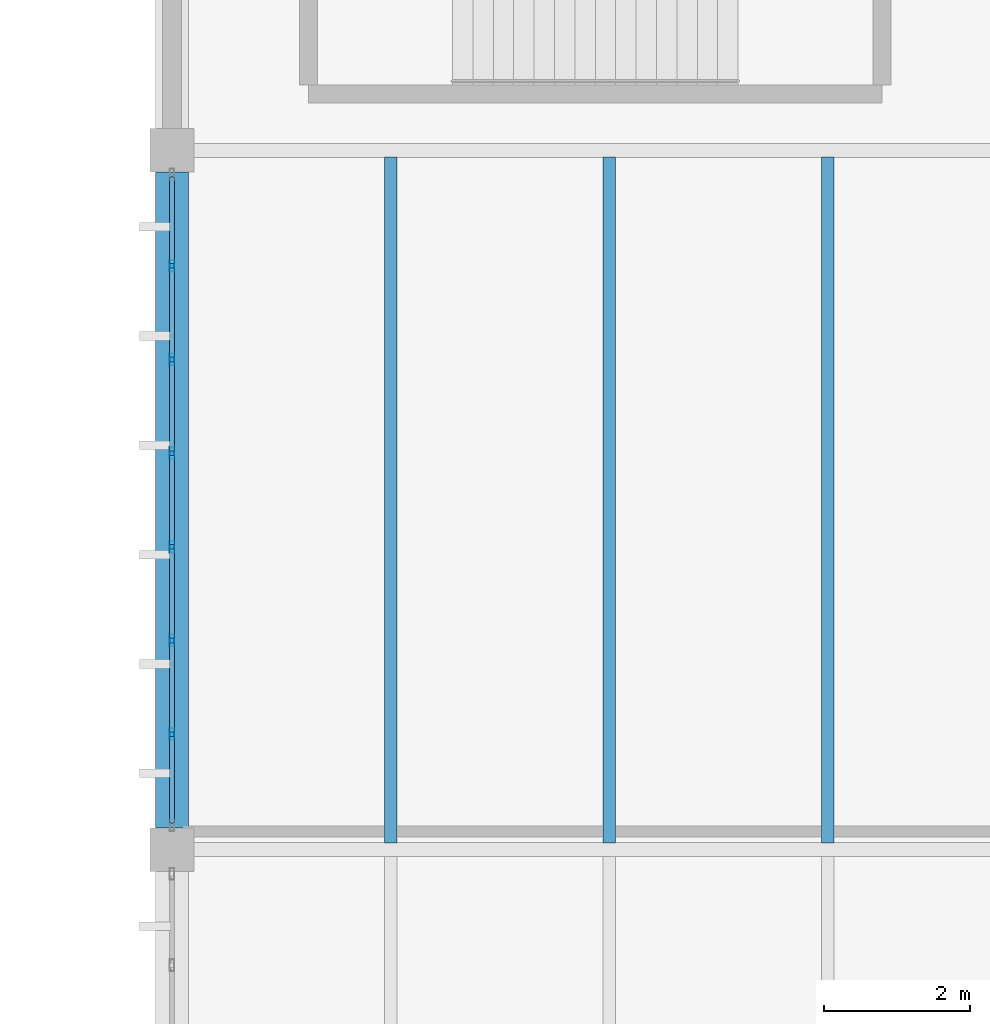
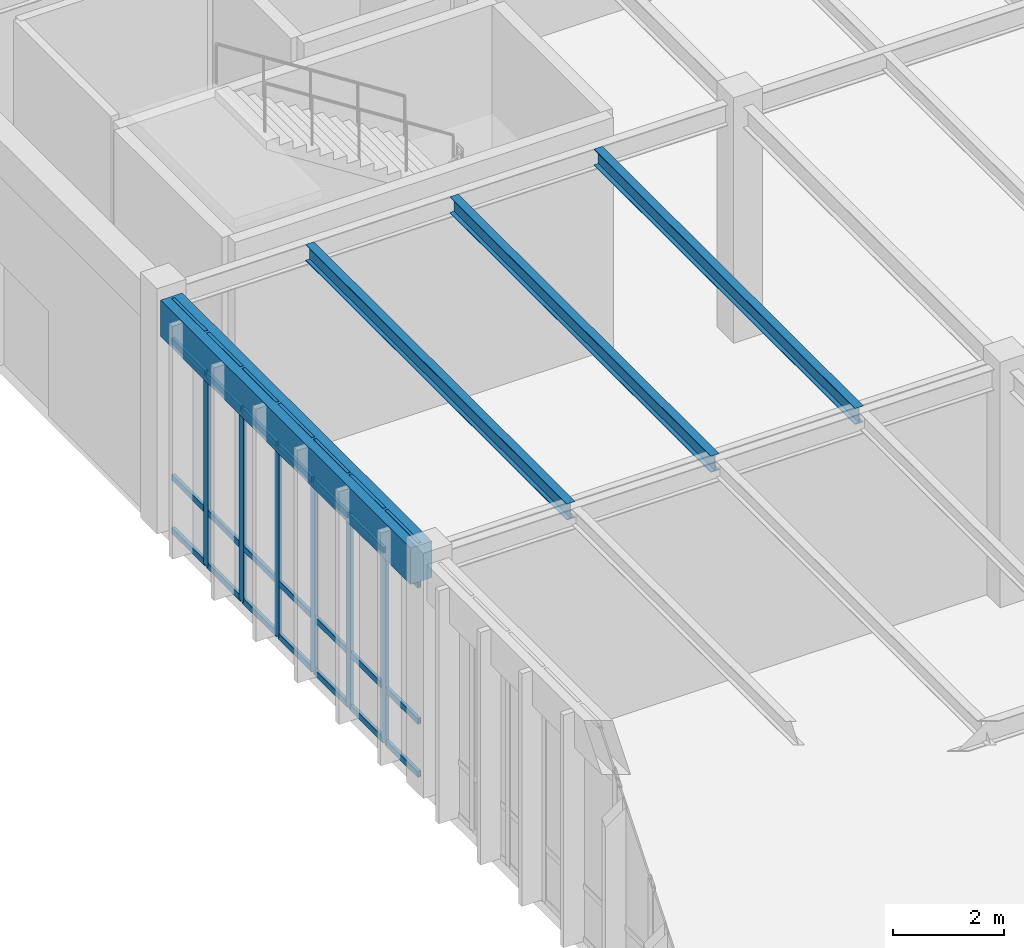
# One storey, part 100 of 188: 34 members, 4 beams, 1 element without a shape of its own.
"""IFC4 building model written with IfcOpenShell, lengths in metres."""

from ifc_helpers import new_model, si_unit, direction, frame, origin, origin_2d, place, context, subcontext, project, spatial, rectangle, hollow_rectangle, i_section, extrude, material, layer, layer_set, material_profile, profile_set, type_object, element, aggregate, save


model = new_model("IFC4")

# Units and contexts
model_context = context("Model", 3, precision=1e-05, world=origin(), true_north=direction((0.0, 1.0)))
body_context = subcontext(model_context, "Body", "Model", "MODEL_VIEW")
ifc_project = project(units=[si_unit("LENGTHUNIT", "METRE"), si_unit("AREAUNIT", "SQUARE_METRE"), si_unit("VOLUMEUNIT", "CUBIC_METRE"), si_unit("PLANEANGLEUNIT", "RADIAN"), si_unit("MASSUNIT", "GRAM", prefix="KILO")], contexts=[model_context])

# Site, building, storey
site_placement = place(None, origin())
site = spatial("IfcSite", under=ifc_project, at=site_placement, CompositionType="ELEMENT")
building_placement = place(site_placement, origin())
building = spatial("IfcBuilding", under=site, at=building_placement, Name="Pandanus Reach Market Hall", CompositionType="ELEMENT")
storey_placement = place(building_placement, origin())
storey = spatial("IfcBuildingStorey", under=building, at=storey_placement, Name="L00", CompositionType="ELEMENT", Elevation=0.0)

# Beam
ifc_material_1 = material(Name="Concrete N40 (40 MPa)", Category="concrete")
ifc_material_profile_1 = material_profile(ifc_material_1, rectangle(XDim=0.449951171875, YDim=0.800048828125, at=origin_2d()), Name="RC450x800", Category="LoadBearing")
ifc_profile_set_1 = profile_set([ifc_material_profile_1], Name="Concrete N40 (40 MPa)")
beam_type_1 = type_object("IfcBeamType", Name="BM-RC450-E", PredefinedType="SPANDREL", material=ifc_profile_set_1)
beam_placement = place(storey_placement, frame((144.0, 38.697998046875, 4.72509765625), z_axis=(0.0, 1.0, 0.0), x_axis=(-1.0, 0.0, 0.0)))
element("IfcBeam", 1, at=beam_placement, inside=storey, type_object=beam_type_1, Name="Framing beam BM-RC450-E L00.192", PredefinedType="SPANDREL", context=body_context, shape_type="SweptSolid", body=[
    extrude(rectangle(XDim=0.449951171875, YDim=0.800048828125, at=origin_2d()), origin(), (0.0, 0.0, 1.0), 9.00390625),
])

# Curtain wall, members
ifc_material_2 = material(Name="Bronze anodised aluminium and low-E glass", Category="aluminium")
ifc_layer = layer(ifc_material_2, 0.159912109375, Name="CW-26")
ifc_layer_set = layer_set([ifc_layer], Name="Bronze anodised aluminium and low-E glass")
curtain_wall_type = type_object("IfcCurtainWallType", Name="CW-26", PredefinedType="NOTDEFINED", material=ifc_layer_set)
curtain_wall_placement = place(storey_placement, origin())
curtain_wall = element("IfcCurtainWall", 2, at=curtain_wall_placement, inside=storey, type_object=curtain_wall_type, Name="Glazed curtain wall CW-26 CW-0078", PredefinedType="NOTDEFINED")
ifc_material_3 = material(Name="Bronze anodised aluminium", Category="aluminium")
ifc_material_profile_2 = material_profile(ifc_material_3, hollow_rectangle(XDim=0.06494140625, YDim=0.159912109375, WallThickness=0.00390625, at=origin_2d()), Name="ALU65x160", Category="LoadBearing")
ifc_profile_set_2 = profile_set([ifc_material_profile_2], Name="Bronze anodised aluminium")
member_type_1 = type_object("IfcMemberType", Name="CW-M1", PredefinedType="MULLION", material=ifc_profile_set_2)
member_1_placement = place(storey_placement, frame((144.0, 39.985595703125, 0.0), z_axis=(0.0, 0.0, 1.0), x_axis=(-1.0, 0.0, 0.0)))
member_1 = element("IfcMember", 3, at=member_1_placement, type_object=member_type_1, Name="CW-26 mullion 2", PredefinedType="MULLION", context=body_context, shape_type="SweptSolid", body=[
    extrude(hollow_rectangle(XDim=0.06494140625, YDim=0.159912109375, WallThickness=0.00390625, at=origin_2d()), origin(), (0.0, 0.0, 1.0), 5.10009765625),
])
member_2_placement = place(storey_placement, frame((144.0, 41.271484375, 0.0), z_axis=(0.0, 0.0, 1.0), x_axis=(-1.0, 0.0, 0.0)))
member_2 = element("IfcMember", 4, at=member_2_placement, type_object=member_type_1, Name="CW-26 mullion 3", PredefinedType="MULLION", context=body_context, shape_type="SweptSolid", body=[
    extrude(hollow_rectangle(XDim=0.06494140625, YDim=0.159912109375, WallThickness=0.00390625, at=origin_2d()), origin(), (0.0, 0.0, 1.0), 5.10009765625),
])
member_3_placement = place(storey_placement, frame((144.0, 42.55712890625, 0.0), z_axis=(0.0, 0.0, 1.0), x_axis=(-1.0, 0.0, 0.0)))
member_3 = element("IfcMember", 5, at=member_3_placement, type_object=member_type_1, Name="CW-26 mullion 4", PredefinedType="MULLION", context=body_context, shape_type="SweptSolid", body=[
    extrude(hollow_rectangle(XDim=0.06494140625, YDim=0.159912109375, WallThickness=0.00390625, at=origin_2d()), origin(), (0.0, 0.0, 1.0), 5.10009765625),
])
member_4_placement = place(storey_placement, frame((144.0, 43.8427734375, 0.0), z_axis=(0.0, 0.0, 1.0), x_axis=(-1.0, 0.0, 0.0)))
member_4 = element("IfcMember", 6, at=member_4_placement, type_object=member_type_1, Name="CW-26 mullion 5", PredefinedType="MULLION", context=body_context, shape_type="SweptSolid", body=[
    extrude(hollow_rectangle(XDim=0.06494140625, YDim=0.159912109375, WallThickness=0.00390625, at=origin_2d()), origin(), (0.0, 0.0, 1.0), 5.10009765625),
])
member_5_placement = place(storey_placement, frame((144.0, 45.128662109375, 0.0), z_axis=(0.0, 0.0, 1.0), x_axis=(-1.0, 0.0, 0.0)))
member_5 = element("IfcMember", 7, at=member_5_placement, type_object=member_type_1, Name="CW-26 mullion 6", PredefinedType="MULLION", context=body_context, shape_type="SweptSolid", body=[
    extrude(hollow_rectangle(XDim=0.06494140625, YDim=0.159912109375, WallThickness=0.00390625, at=origin_2d()), origin(), (0.0, 0.0, 1.0), 5.10009765625),
])
member_6_placement = place(storey_placement, frame((144.0, 46.414306640625, 0.0), z_axis=(0.0, 0.0, 1.0), x_axis=(-1.0, 0.0, 0.0)))
member_6 = element("IfcMember", 8, at=member_6_placement, type_object=member_type_1, Name="CW-26 mullion 7", PredefinedType="MULLION", context=body_context, shape_type="SweptSolid", body=[
    extrude(hollow_rectangle(XDim=0.06494140625, YDim=0.159912109375, WallThickness=0.00390625, at=origin_2d()), origin(), (0.0, 0.0, 1.0), 5.10009765625),
])
ifc_material_profile_3 = material_profile(ifc_material_3, hollow_rectangle(XDim=0.06494140625, YDim=0.1298828125, WallThickness=0.00390625, at=origin_2d()), Name="ALU65x130", Category="LoadBearing")
ifc_profile_set_3 = profile_set([ifc_material_profile_3], Name="Bronze anodised aluminium")
member_type_2 = type_object("IfcMemberType", Name="CW-T1", PredefinedType="USERDEFINED", material=ifc_profile_set_3)
member_7_placement = place(storey_placement, frame((144.0, 38.764892578125, 0.032470703125), z_axis=(0.0, 1.0, 0.0), x_axis=(-1.0, 0.0, 0.0)))
member_7 = element("IfcMember", 9, at=member_7_placement, type_object=member_type_2, Name="CW-26 transom 1.1", ObjectType="TRANSOM", PredefinedType="USERDEFINED", context=body_context, shape_type="SweptSolid", body=[
    extrude(hollow_rectangle(XDim=0.06494140625, YDim=0.1298828125, WallThickness=0.00390625, at=origin_2d()), origin(), (0.0, 0.0, 1.0), 1.188232421875),
])
member_8_placement = place(storey_placement, frame((144.0, 38.764892578125, 1.199951171875), z_axis=(0.0, 1.0, 0.0), x_axis=(-1.0, 0.0, 0.0)))
member_8 = element("IfcMember", 10, at=member_8_placement, type_object=member_type_2, Name="CW-26 transom 1.2", ObjectType="TRANSOM", PredefinedType="USERDEFINED", context=body_context, shape_type="SweptSolid", body=[
    extrude(hollow_rectangle(XDim=0.06494140625, YDim=0.1298828125, WallThickness=0.00390625, at=origin_2d()), origin(), (0.0, 0.0, 1.0), 1.188232421875),
])
member_9_placement = place(storey_placement, frame((144.0, 38.764892578125, 4.199951171875), z_axis=(0.0, 1.0, 0.0), x_axis=(-1.0, 0.0, 0.0)))
member_9 = element("IfcMember", 11, at=member_9_placement, type_object=member_type_2, Name="CW-26 transom 1.3", ObjectType="TRANSOM", PredefinedType="USERDEFINED", context=body_context, shape_type="SweptSolid", body=[
    extrude(hollow_rectangle(XDim=0.06494140625, YDim=0.1298828125, WallThickness=0.00390625, at=origin_2d()), origin(), (0.0, 0.0, 1.0), 1.188232421875),
])
member_10_placement = place(storey_placement, frame((144.0, 38.764892578125, 5.0673828125), z_axis=(0.0, 1.0, 0.0), x_axis=(-1.0, 0.0, 0.0)))
member_10 = element("IfcMember", 12, at=member_10_placement, type_object=member_type_2, Name="CW-26 transom 1.4", ObjectType="TRANSOM", PredefinedType="USERDEFINED", context=body_context, shape_type="SweptSolid", body=[
    extrude(hollow_rectangle(XDim=0.06494140625, YDim=0.1298828125, WallThickness=0.00390625, at=origin_2d()), origin(), (0.0, 0.0, 1.0), 1.188232421875),
])
member_11_placement = place(storey_placement, frame((144.0, 40.018310546875, 0.032470703125), z_axis=(0.0, 1.0, 0.0), x_axis=(-1.0, 0.0, 0.0)))
member_11 = element("IfcMember", 13, at=member_11_placement, type_object=member_type_2, Name="CW-26 transom 2.1", ObjectType="TRANSOM", PredefinedType="USERDEFINED", context=body_context, shape_type="SweptSolid", body=[
    extrude(hollow_rectangle(XDim=0.06494140625, YDim=0.1298828125, WallThickness=0.00390625, at=origin_2d()), origin(), (0.0, 0.0, 1.0), 1.220703125),
])
member_12_placement = place(storey_placement, frame((144.0, 40.018310546875, 1.199951171875), z_axis=(0.0, 1.0, 0.0), x_axis=(-1.0, 0.0, 0.0)))
member_12 = element("IfcMember", 14, at=member_12_placement, type_object=member_type_2, Name="CW-26 transom 2.2", ObjectType="TRANSOM", PredefinedType="USERDEFINED", context=body_context, shape_type="SweptSolid", body=[
    extrude(hollow_rectangle(XDim=0.06494140625, YDim=0.1298828125, WallThickness=0.00390625, at=origin_2d()), origin(), (0.0, 0.0, 1.0), 1.220703125),
])
member_13_placement = place(storey_placement, frame((144.0, 40.018310546875, 4.199951171875), z_axis=(0.0, 1.0, 0.0), x_axis=(-1.0, 0.0, 0.0)))
member_13 = element("IfcMember", 15, at=member_13_placement, type_object=member_type_2, Name="CW-26 transom 2.3", ObjectType="TRANSOM", PredefinedType="USERDEFINED", context=body_context, shape_type="SweptSolid", body=[
    extrude(hollow_rectangle(XDim=0.06494140625, YDim=0.1298828125, WallThickness=0.00390625, at=origin_2d()), origin(), (0.0, 0.0, 1.0), 1.220703125),
])
member_14_placement = place(storey_placement, frame((144.0, 40.018310546875, 5.0673828125), z_axis=(0.0, 1.0, 0.0), x_axis=(-1.0, 0.0, 0.0)))
member_14 = element("IfcMember", 16, at=member_14_placement, type_object=member_type_2, Name="CW-26 transom 2.4", ObjectType="TRANSOM", PredefinedType="USERDEFINED", context=body_context, shape_type="SweptSolid", body=[
    extrude(hollow_rectangle(XDim=0.06494140625, YDim=0.1298828125, WallThickness=0.00390625, at=origin_2d()), origin(), (0.0, 0.0, 1.0), 1.220703125),
])
member_15_placement = place(storey_placement, frame((144.0, 41.303955078125, 0.032470703125), z_axis=(0.0, 1.0, 0.0), x_axis=(-1.0, 0.0, 0.0)))
member_15 = element("IfcMember", 17, at=member_15_placement, type_object=member_type_2, Name="CW-26 transom 3.1", ObjectType="TRANSOM", PredefinedType="USERDEFINED", context=body_context, shape_type="SweptSolid", body=[
    extrude(hollow_rectangle(XDim=0.06494140625, YDim=0.1298828125, WallThickness=0.00390625, at=origin_2d()), origin(), (0.0, 0.0, 1.0), 1.220703125),
])
member_16_placement = place(storey_placement, frame((144.0, 41.303955078125, 1.199951171875), z_axis=(0.0, 1.0, 0.0), x_axis=(-1.0, 0.0, 0.0)))
member_16 = element("IfcMember", 18, at=member_16_placement, type_object=member_type_2, Name="CW-26 transom 3.2", ObjectType="TRANSOM", PredefinedType="USERDEFINED", context=body_context, shape_type="SweptSolid", body=[
    extrude(hollow_rectangle(XDim=0.06494140625, YDim=0.1298828125, WallThickness=0.00390625, at=origin_2d()), origin(), (0.0, 0.0, 1.0), 1.220703125),
])
member_17_placement = place(storey_placement, frame((144.0, 41.303955078125, 4.199951171875), z_axis=(0.0, 1.0, 0.0), x_axis=(-1.0, 0.0, 0.0)))
member_17 = element("IfcMember", 19, at=member_17_placement, type_object=member_type_2, Name="CW-26 transom 3.3", ObjectType="TRANSOM", PredefinedType="USERDEFINED", context=body_context, shape_type="SweptSolid", body=[
    extrude(hollow_rectangle(XDim=0.06494140625, YDim=0.1298828125, WallThickness=0.00390625, at=origin_2d()), origin(), (0.0, 0.0, 1.0), 1.220703125),
])
member_18_placement = place(storey_placement, frame((144.0, 41.303955078125, 5.0673828125), z_axis=(0.0, 1.0, 0.0), x_axis=(-1.0, 0.0, 0.0)))
member_18 = element("IfcMember", 20, at=member_18_placement, type_object=member_type_2, Name="CW-26 transom 3.4", ObjectType="TRANSOM", PredefinedType="USERDEFINED", context=body_context, shape_type="SweptSolid", body=[
    extrude(hollow_rectangle(XDim=0.06494140625, YDim=0.1298828125, WallThickness=0.00390625, at=origin_2d()), origin(), (0.0, 0.0, 1.0), 1.220703125),
])
member_19_placement = place(storey_placement, frame((144.0, 42.589599609375, 0.032470703125), z_axis=(0.0, 1.0, 0.0), x_axis=(-1.0, 0.0, 0.0)))
member_19 = element("IfcMember", 21, at=member_19_placement, type_object=member_type_2, Name="CW-26 transom 4.1", ObjectType="TRANSOM", PredefinedType="USERDEFINED", context=body_context, shape_type="SweptSolid", body=[
    extrude(hollow_rectangle(XDim=0.06494140625, YDim=0.1298828125, WallThickness=0.00390625, at=origin_2d()), origin(), (0.0, 0.0, 1.0), 1.220703125),
])
member_20_placement = place(storey_placement, frame((144.0, 42.589599609375, 1.199951171875), z_axis=(0.0, 1.0, 0.0), x_axis=(-1.0, 0.0, 0.0)))
member_20 = element("IfcMember", 22, at=member_20_placement, type_object=member_type_2, Name="CW-26 transom 4.2", ObjectType="TRANSOM", PredefinedType="USERDEFINED", context=body_context, shape_type="SweptSolid", body=[
    extrude(hollow_rectangle(XDim=0.06494140625, YDim=0.1298828125, WallThickness=0.00390625, at=origin_2d()), origin(), (0.0, 0.0, 1.0), 1.220703125),
])
member_21_placement = place(storey_placement, frame((144.0, 42.589599609375, 4.199951171875), z_axis=(0.0, 1.0, 0.0), x_axis=(-1.0, 0.0, 0.0)))
member_21 = element("IfcMember", 23, at=member_21_placement, type_object=member_type_2, Name="CW-26 transom 4.3", ObjectType="TRANSOM", PredefinedType="USERDEFINED", context=body_context, shape_type="SweptSolid", body=[
    extrude(hollow_rectangle(XDim=0.06494140625, YDim=0.1298828125, WallThickness=0.00390625, at=origin_2d()), origin(), (0.0, 0.0, 1.0), 1.220703125),
])
member_22_placement = place(storey_placement, frame((144.0, 42.589599609375, 5.0673828125), z_axis=(0.0, 1.0, 0.0), x_axis=(-1.0, 0.0, 0.0)))
member_22 = element("IfcMember", 24, at=member_22_placement, type_object=member_type_2, Name="CW-26 transom 4.4", ObjectType="TRANSOM", PredefinedType="USERDEFINED", context=body_context, shape_type="SweptSolid", body=[
    extrude(hollow_rectangle(XDim=0.06494140625, YDim=0.1298828125, WallThickness=0.00390625, at=origin_2d()), origin(), (0.0, 0.0, 1.0), 1.220703125),
])
member_23_placement = place(storey_placement, frame((144.0, 43.875244140625, 0.032470703125), z_axis=(0.0, 1.0, 0.0), x_axis=(-1.0, 0.0, 0.0)))
member_23 = element("IfcMember", 25, at=member_23_placement, type_object=member_type_2, Name="CW-26 transom 5.1", ObjectType="TRANSOM", PredefinedType="USERDEFINED", context=body_context, shape_type="SweptSolid", body=[
    extrude(hollow_rectangle(XDim=0.06494140625, YDim=0.1298828125, WallThickness=0.00390625, at=origin_2d()), origin(), (0.0, 0.0, 1.0), 1.220947265625),
])
member_24_placement = place(storey_placement, frame((144.0, 43.875244140625, 1.199951171875), z_axis=(0.0, 1.0, 0.0), x_axis=(-1.0, 0.0, 0.0)))
member_24 = element("IfcMember", 26, at=member_24_placement, type_object=member_type_2, Name="CW-26 transom 5.2", ObjectType="TRANSOM", PredefinedType="USERDEFINED", context=body_context, shape_type="SweptSolid", body=[
    extrude(hollow_rectangle(XDim=0.06494140625, YDim=0.1298828125, WallThickness=0.00390625, at=origin_2d()), origin(), (0.0, 0.0, 1.0), 1.220947265625),
])
member_25_placement = place(storey_placement, frame((144.0, 43.875244140625, 4.199951171875), z_axis=(0.0, 1.0, 0.0), x_axis=(-1.0, 0.0, 0.0)))
member_25 = element("IfcMember", 27, at=member_25_placement, type_object=member_type_2, Name="CW-26 transom 5.3", ObjectType="TRANSOM", PredefinedType="USERDEFINED", context=body_context, shape_type="SweptSolid", body=[
    extrude(hollow_rectangle(XDim=0.06494140625, YDim=0.1298828125, WallThickness=0.00390625, at=origin_2d()), origin(), (0.0, 0.0, 1.0), 1.220947265625),
])
member_26_placement = place(storey_placement, frame((144.0, 43.875244140625, 5.0673828125), z_axis=(0.0, 1.0, 0.0), x_axis=(-1.0, 0.0, 0.0)))
member_26 = element("IfcMember", 28, at=member_26_placement, type_object=member_type_2, Name="CW-26 transom 5.4", ObjectType="TRANSOM", PredefinedType="USERDEFINED", context=body_context, shape_type="SweptSolid", body=[
    extrude(hollow_rectangle(XDim=0.06494140625, YDim=0.1298828125, WallThickness=0.00390625, at=origin_2d()), origin(), (0.0, 0.0, 1.0), 1.220947265625),
])
member_27_placement = place(storey_placement, frame((144.0, 45.1611328125, 0.032470703125), z_axis=(0.0, 1.0, 0.0), x_axis=(-1.0, 0.0, 0.0)))
member_27 = element("IfcMember", 29, at=member_27_placement, type_object=member_type_2, Name="CW-26 transom 6.1", ObjectType="TRANSOM", PredefinedType="USERDEFINED", context=body_context, shape_type="SweptSolid", body=[
    extrude(hollow_rectangle(XDim=0.06494140625, YDim=0.1298828125, WallThickness=0.00390625, at=origin_2d()), origin(), (0.0, 0.0, 1.0), 1.220703125),
])
member_28_placement = place(storey_placement, frame((144.0, 45.1611328125, 1.199951171875), z_axis=(0.0, 1.0, 0.0), x_axis=(-1.0, 0.0, 0.0)))
member_28 = element("IfcMember", 30, at=member_28_placement, type_object=member_type_2, Name="CW-26 transom 6.2", ObjectType="TRANSOM", PredefinedType="USERDEFINED", context=body_context, shape_type="SweptSolid", body=[
    extrude(hollow_rectangle(XDim=0.06494140625, YDim=0.1298828125, WallThickness=0.00390625, at=origin_2d()), origin(), (0.0, 0.0, 1.0), 1.220703125),
])
member_29_placement = place(storey_placement, frame((144.0, 45.1611328125, 4.199951171875), z_axis=(0.0, 1.0, 0.0), x_axis=(-1.0, 0.0, 0.0)))
member_29 = element("IfcMember", 31, at=member_29_placement, type_object=member_type_2, Name="CW-26 transom 6.3", ObjectType="TRANSOM", PredefinedType="USERDEFINED", context=body_context, shape_type="SweptSolid", body=[
    extrude(hollow_rectangle(XDim=0.06494140625, YDim=0.1298828125, WallThickness=0.00390625, at=origin_2d()), origin(), (0.0, 0.0, 1.0), 1.220703125),
])
member_30_placement = place(storey_placement, frame((144.0, 45.1611328125, 5.0673828125), z_axis=(0.0, 1.0, 0.0), x_axis=(-1.0, 0.0, 0.0)))
member_30 = element("IfcMember", 32, at=member_30_placement, type_object=member_type_2, Name="CW-26 transom 6.4", ObjectType="TRANSOM", PredefinedType="USERDEFINED", context=body_context, shape_type="SweptSolid", body=[
    extrude(hollow_rectangle(XDim=0.06494140625, YDim=0.1298828125, WallThickness=0.00390625, at=origin_2d()), origin(), (0.0, 0.0, 1.0), 1.220703125),
])
member_31_placement = place(storey_placement, frame((144.0, 46.44677734375, 0.032470703125), z_axis=(0.0, 1.0, 0.0), x_axis=(-1.0, 0.0, 0.0)))
member_31 = element("IfcMember", 33, at=member_31_placement, type_object=member_type_2, Name="CW-26 transom 7.1", ObjectType="TRANSOM", PredefinedType="USERDEFINED", context=body_context, shape_type="SweptSolid", body=[
    extrude(hollow_rectangle(XDim=0.06494140625, YDim=0.1298828125, WallThickness=0.00390625, at=origin_2d()), origin(), (0.0, 0.0, 1.0), 1.188232421875),
])
member_32_placement = place(storey_placement, frame((144.0, 46.44677734375, 1.199951171875), z_axis=(0.0, 1.0, 0.0), x_axis=(-1.0, 0.0, 0.0)))
member_32 = element("IfcMember", 34, at=member_32_placement, type_object=member_type_2, Name="CW-26 transom 7.2", ObjectType="TRANSOM", PredefinedType="USERDEFINED", context=body_context, shape_type="SweptSolid", body=[
    extrude(hollow_rectangle(XDim=0.06494140625, YDim=0.1298828125, WallThickness=0.00390625, at=origin_2d()), origin(), (0.0, 0.0, 1.0), 1.188232421875),
])
member_33_placement = place(storey_placement, frame((144.0, 46.44677734375, 4.199951171875), z_axis=(0.0, 1.0, 0.0), x_axis=(-1.0, 0.0, 0.0)))
member_33 = element("IfcMember", 35, at=member_33_placement, type_object=member_type_2, Name="CW-26 transom 7.3", ObjectType="TRANSOM", PredefinedType="USERDEFINED", context=body_context, shape_type="SweptSolid", body=[
    extrude(hollow_rectangle(XDim=0.06494140625, YDim=0.1298828125, WallThickness=0.00390625, at=origin_2d()), origin(), (0.0, 0.0, 1.0), 1.188232421875),
])
member_34_placement = place(storey_placement, frame((144.0, 46.44677734375, 5.0673828125), z_axis=(0.0, 1.0, 0.0), x_axis=(-1.0, 0.0, 0.0)))
member_34 = element("IfcMember", 36, at=member_34_placement, type_object=member_type_2, Name="CW-26 transom 7.4", ObjectType="TRANSOM", PredefinedType="USERDEFINED", context=body_context, shape_type="SweptSolid", body=[
    extrude(hollow_rectangle(XDim=0.06494140625, YDim=0.1298828125, WallThickness=0.00390625, at=origin_2d()), origin(), (0.0, 0.0, 1.0), 1.188232421875),
])
aggregate(curtain_wall, [member_1, member_2, member_3, member_4, member_5, member_6, member_7, member_8, member_9, member_10, member_11, member_12, member_13, member_14, member_15, member_16, member_17, member_18, member_19, member_20, member_21, member_22, member_23, member_24, member_25, member_26, member_27, member_28, member_29, member_30, member_31, member_32, member_33, member_34])

# Beams
ifc_material_4 = material(Name="Steel Grade 350 (350 MPa)", Category="steel")
ifc_material_profile_4 = material_profile(ifc_material_4, i_section(OverallWidth=0.172119140625, OverallDepth=0.35888671875, WebThickness=0.008056640625, FlangeThickness=0.012939453125, at=origin_2d()), Name="360UB56.7", Category="LoadBearing")
ifc_profile_set_4 = profile_set([ifc_material_profile_4], Name="Steel Grade 350 (350 MPa)")
beam_type_2 = type_object("IfcBeamType", Name="JS-UB360H-I", PredefinedType="JOIST", material=ifc_profile_set_4)
for number, where, z_axis, x_axis, name in (
    (37, (147.0, 38.493408203125, 4.945068359375), (0.0, 1.0, 0.0), (-1.0, 0.0, 0.0), "Secondary joist JS-UB360H-I L00.240"),
    (38, (150.0, 38.493408203125, 4.945068359375), (0.0, 1.0, 0.0), (-1.0, 0.0, 0.0), "Secondary joist JS-UB360H-I L00.241"),
    (39, (153.0, 38.493408203125, 4.945068359375), (0.0, 1.0, 0.0), (-1.0, 0.0, 0.0), "Secondary joist JS-UB360H-I L00.242"),
):
    element("IfcBeam", number, at=place(storey_placement, frame(where, z_axis=z_axis, x_axis=x_axis)), inside=storey, type_object=beam_type_2, Name=name, PredefinedType="JOIST", context=body_context, shape_type="SweptSolid", body=[
        extrude(i_section(OverallWidth=0.172119140625, OverallDepth=0.35888671875, WebThickness=0.008056640625, FlangeThickness=0.012939453125, at=origin_2d()), origin(), (0.0, 0.0, 1.0), 9.4130859375),
    ])

save(model, "model.ifc")
